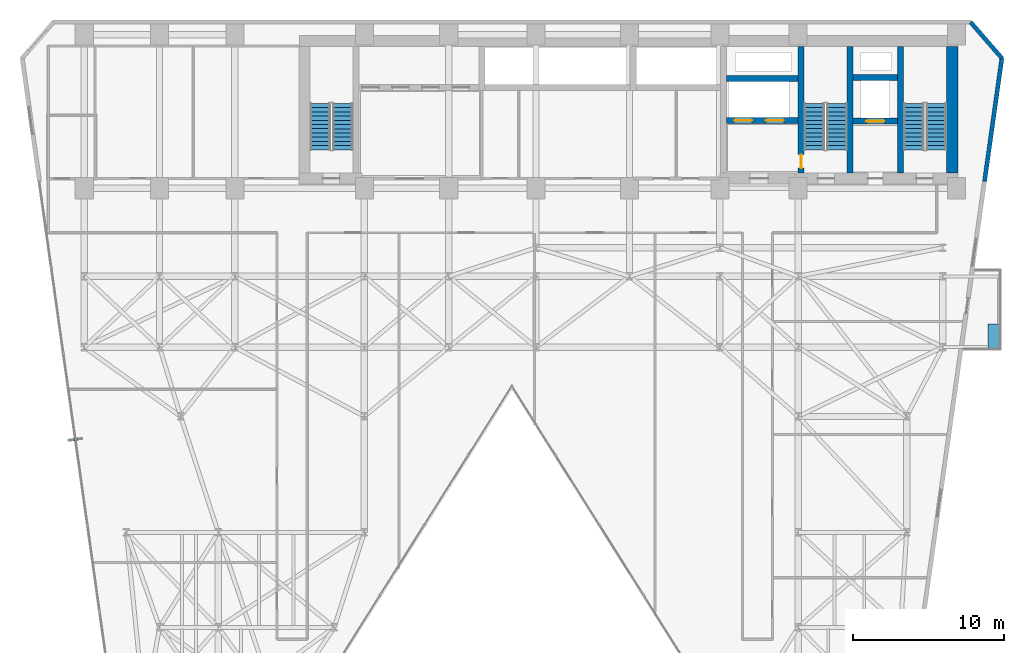
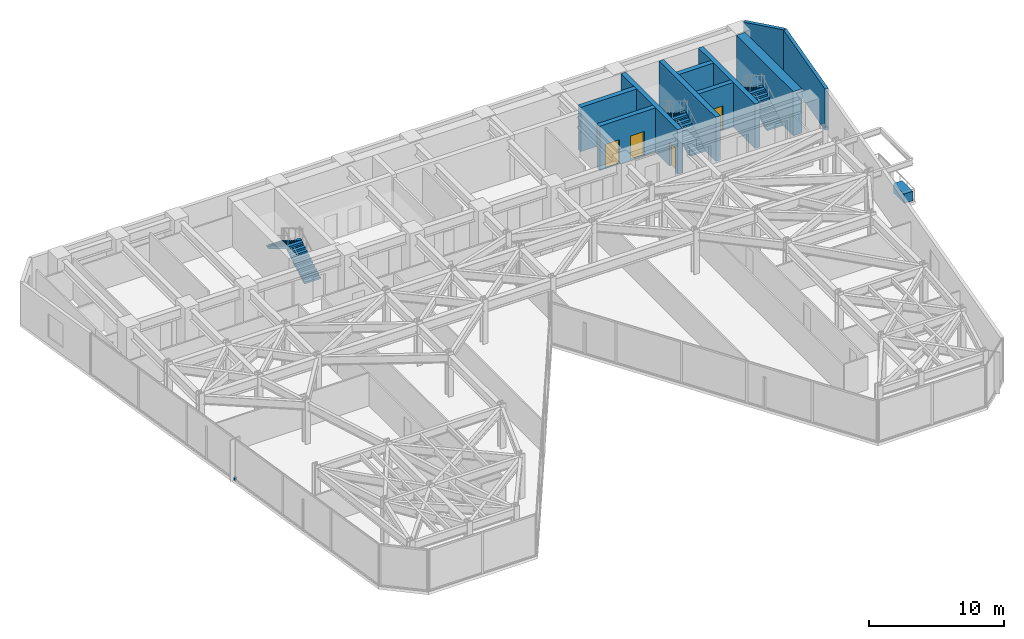
# One storey, part 21 of 25: 10 walls, 6 stair flights, 4 doors, 2 discrete accessories, 4 openings, 3 elements without a shape of their own.
"""IFC4 building model written with IfcOpenShell, lengths in metres."""

from ifc_helpers import new_model, si_unit, direction, frame, frame_2d, origin, origin_2d, place, context, subcontext, project, spatial, polyline, rectangle, outline, extrude, material, layer, layer_set, type_object, element, fill, aggregate, save


model = new_model("IFC4")

# Units and contexts
model_context = context("Model", 3, precision=1e-05, world=origin(), true_north=direction((0.0, 1.0)))
body_context = subcontext(model_context, "Body", "Model", "MODEL_VIEW")
ifc_project = project(units=[si_unit("LENGTHUNIT", "METRE"), si_unit("AREAUNIT", "SQUARE_METRE"), si_unit("VOLUMEUNIT", "CUBIC_METRE"), si_unit("PLANEANGLEUNIT", "RADIAN"), si_unit("MASSUNIT", "GRAM", prefix="KILO")], contexts=[model_context])

# Site, building, storey
site_placement = place(None, origin())
site = spatial("IfcSite", under=ifc_project, at=site_placement, CompositionType="ELEMENT")
building_placement = place(site_placement, origin())
building = spatial("IfcBuilding", under=site, at=building_placement, Name="Kravanh Interchange Tower", CompositionType="ELEMENT")
storey_placement = place(building_placement, frame((0.0, 0.0, 73.5)))
storey = spatial("IfcBuildingStorey", under=building, at=storey_placement, Name="L17", CompositionType="ELEMENT", Elevation=73.5)

# Walls
ifc_material_1 = material(Name="Concrete C80/95", Category="concrete")
ifc_layer_1 = layer(ifc_material_1, 0.39990234375)
ifc_layer_set_1 = layer_set([ifc_layer_1], Name="Core Shear Wall Concrete C80/95 400mm")
wall_type_1 = type_object("IfcWallType", Name="Core Shear Wall Concrete C80/95 400mm", PredefinedType="SHEAR", material=ifc_layer_set_1)
for number, where, z_axis, x_axis, name in (
    (1, (62.800048828125, 38.375, 0.0), (0.0, 0.0, 1.0), (0.0, 1.0, 0.0), "L17 Stair ST1 West Shear Wall"),
    (2, (59.449951171875, 38.375, 0.0), (0.0, 0.0, 1.0), (0.0, 1.0, 0.0), "L17 Stair ST2 East Shear Wall"),
):
    element("IfcWall", number, at=place(storey_placement, frame(where, z_axis=z_axis, x_axis=x_axis)), inside=storey, type_object=wall_type_1, Name=name, PredefinedType="SHEAR", context=body_context, shape_type="SweptSolid", body=[
        extrude(rectangle(XDim=8.375, YDim=0.39990234375, at=frame_2d((4.1875, 0.0))), origin(), (0.0, 0.0, 1.0), 4.0),
    ])

# Wall, opening, door
wall_1_placement = place(storey_placement, frame((56.199951171875, 38.375, 0.0), z_axis=(0.0, 0.0, 1.0), x_axis=(0.0, 1.0, 0.0)))
wall_1 = element("IfcWall", 3, at=wall_1_placement, inside=storey, type_object=wall_type_1, Name="L17 Stair ST2 West Shear Wall", PredefinedType="SHEAR", context=body_context, shape_type="SweptSolid", body=[
    extrude(rectangle(XDim=8.375, YDim=0.39990234375, at=frame_2d((4.1875, 0.0))), origin(), (0.0, 0.0, 1.0), 4.0),
])
opening_1_placement = place(wall_1_placement, frame((0.304931640625, 0.0, 0.0)))
opening_1 = element("IfcOpeningElement", 4, at=opening_1_placement, cuts=wall_1, Name="Opening D-STAIR-90", PredefinedType="OPENING", context=body_context, shape_type="SweptSolid", body=[
    extrude(rectangle(XDim=0.89990234375, YDim=2.14990234375, at=frame_2d((0.449951171875, 1.074951171875))), frame((0.0, 0.2099609375, 0.0), z_axis=(0.0, -1.0, 0.0), x_axis=(1.0, 0.0, 0.0)), (0.0, 0.0, 1.0), 0.419921875),
])
ifc_material_2 = material(Name="Structural Steel S355", Category="steel")
door_type_1 = type_object("IfcDoorType", Name="Fire-Rated Stair Lobby Door 900x2150", OperationType="NOTDEFINED", PredefinedType="DOOR", material=ifc_material_2)
door_1_placement = place(opening_1_placement, origin())
door_1 = element("IfcDoor", 5, at=door_1_placement, inside=storey, type_object=door_type_1, Name="L17 Firefighting Lobby to Stair ST2 Door", OperationType="SINGLE_SWING_LEFT", OverallHeight=2.14990234375, OverallWidth=0.89990234375, PredefinedType="DOOR", context=body_context, shape_type="SweptSolid", body=[
    extrude(rectangle(XDim=0.89990234375, YDim=2.14990234375, at=frame_2d((0.449951171875, 1.074951171875))), frame((0.0, 0.02490234375, 0.0), z_axis=(0.0, -1.0, 0.0), x_axis=(1.0, 0.0, 0.0)), (0.0, 0.0, 1.0), 0.050048828125),
])
fill(opening_1, door_1)

wall_2_placement = place(storey_placement, frame((59.64990234375, 41.800048828125, 0.0), z_axis=(0.0, 0.0, 1.0), x_axis=(1.0, 0.0, 0.0)))
wall_2 = element("IfcWall", 6, at=wall_2_placement, inside=storey, type_object=wall_type_1, Name="L17 Service Lift Shaft South Wall", PredefinedType="SHEAR", context=body_context, shape_type="SweptSolid", body=[
    extrude(rectangle(XDim=2.9501953125, YDim=0.39990234375, at=frame_2d((1.47509765625, 0.0))), origin(), (0.0, 0.0, 1.0), 4.0),
])
opening_2_placement = place(wall_2_placement, frame((0.8701171875, 0.0, 0.0)))
opening_2 = element("IfcOpeningElement", 7, at=opening_2_placement, cuts=wall_2, Name="Opening LD02", PredefinedType="OPENING", context=body_context, shape_type="SweptSolid", body=[
    extrude(rectangle(XDim=1.199951171875, YDim=2.199951171875, at=frame_2d((0.60009765625, 1.10009765625))), frame((0.0, 0.2099609375, 0.0), z_axis=(0.0, -1.0, 0.0), x_axis=(1.0, 0.0, 0.0)), (0.0, 0.0, 1.0), 0.419921875),
])
ifc_material_3 = material(Name="Stainless Steel 316", Category="steel")
door_type_2 = type_object("IfcDoorType", Name="Fire and Service Lift Sliding Landing Door 1200x2200", OperationType="DOUBLE_DOOR_SLIDING", PredefinedType="DOOR", material=ifc_material_3)
door_2_placement = place(opening_2_placement, origin())
door_2 = element("IfcDoor", 8, at=door_2_placement, inside=storey, type_object=door_type_2, Name="L17 Lift LS-01 Landing Door", OperationType="DOUBLE_DOOR_SLIDING", OverallHeight=2.199951171875, OverallWidth=1.199951171875, PredefinedType="DOOR", context=body_context, shape_type="SweptSolid", body=[
    extrude(rectangle(XDim=1.199951171875, YDim=2.199951171875, at=frame_2d((0.60009765625, 1.10009765625))), frame((0.0, 0.02490234375, 0.0), z_axis=(0.0, -1.0, 0.0), x_axis=(1.0, 0.0, 0.0)), (0.0, 0.0, 1.0), 0.050048828125),
])
fill(opening_2, door_2)

# Wall
wall_3_placement = place(storey_placement, frame((59.64990234375, 44.699951171875, 0.0), z_axis=(0.0, 0.0, 1.0), x_axis=(1.0, 0.0, 0.0)))
element("IfcWall", 9, at=wall_3_placement, inside=storey, type_object=wall_type_1, Name="L17 Service Lift Shaft North Wall", PredefinedType="SHEAR", context=body_context, shape_type="SweptSolid", body=[
    extrude(rectangle(XDim=2.9501953125, YDim=0.39990234375, at=frame_2d((1.47509765625, 0.0))), origin(), (0.0, 0.0, 1.0), 4.0),
])

# Wall, openings, doors
wall_4_placement = place(storey_placement, frame((51.25, 41.85009765625, 0.0), z_axis=(0.0, 0.0, 1.0), x_axis=(1.0, 0.0, 0.0)))
wall_4 = element("IfcWall", 10, at=wall_4_placement, inside=storey, type_object=wall_type_1, Name="L17 Fire Lift Shaft South Wall", PredefinedType="SHEAR", context=body_context, shape_type="SweptSolid", body=[
    extrude(rectangle(XDim=4.75, YDim=0.39990234375, at=frame_2d((2.375, 0.0))), origin(), (0.0, 0.0, 1.0), 4.0),
])
opening_3_placement = place(wall_4_placement, frame((0.5, 0.0, 0.0)))
opening_3 = element("IfcOpeningElement", 11, at=opening_3_placement, cuts=wall_4, Name="Opening LD02", PredefinedType="OPENING", context=body_context, shape_type="SweptSolid", body=[
    extrude(rectangle(XDim=1.199951171875, YDim=2.199951171875, at=frame_2d((0.60009765625, 1.10009765625))), frame((0.0, 0.2099609375, 0.0), z_axis=(0.0, -1.0, 0.0), x_axis=(1.0, 0.0, 0.0)), (0.0, 0.0, 1.0), 0.419921875),
])
opening_4_placement = place(wall_4_placement, frame((2.60009765625, 0.0, 0.0)))
opening_4 = element("IfcOpeningElement", 12, at=opening_4_placement, cuts=wall_4, Name="Opening LD02", PredefinedType="OPENING", context=body_context, shape_type="SweptSolid", body=[
    extrude(rectangle(XDim=1.199951171875, YDim=2.199951171875, at=frame_2d((0.60009765625, 1.10009765625))), frame((0.0, 0.2099609375, 0.0), z_axis=(0.0, -1.0, 0.0), x_axis=(1.0, 0.0, 0.0)), (0.0, 0.0, 1.0), 0.419921875),
])
door_3_placement = place(opening_3_placement, origin())
door_3 = element("IfcDoor", 13, at=door_3_placement, inside=storey, type_object=door_type_2, Name="L17 Lift FSAE-01 Landing Door", OperationType="DOUBLE_DOOR_SLIDING", OverallHeight=2.199951171875, OverallWidth=1.199951171875, PredefinedType="DOOR", context=body_context, shape_type="SweptSolid", body=[
    extrude(rectangle(XDim=1.199951171875, YDim=2.199951171875, at=frame_2d((0.60009765625, 1.10009765625))), frame((0.0, 0.02490234375, 0.0), z_axis=(0.0, -1.0, 0.0), x_axis=(1.0, 0.0, 0.0)), (0.0, 0.0, 1.0), 0.050048828125),
])
fill(opening_3, door_3)
door_4_placement = place(opening_4_placement, origin())
door_4 = element("IfcDoor", 14, at=door_4_placement, inside=storey, type_object=door_type_2, Name="L17 Lift FSAE-02 Landing Door", OperationType="DOUBLE_DOOR_SLIDING", OverallHeight=2.199951171875, OverallWidth=1.199951171875, PredefinedType="DOOR", context=body_context, shape_type="SweptSolid", body=[
    extrude(rectangle(XDim=1.199951171875, YDim=2.199951171875, at=frame_2d((0.60009765625, 1.10009765625))), frame((0.0, 0.02490234375, 0.0), z_axis=(0.0, -1.0, 0.0), x_axis=(1.0, 0.0, 0.0)), (0.0, 0.0, 1.0), 0.050048828125),
])
fill(opening_4, door_4)

# Walls
wall_5_placement = place(storey_placement, frame((51.25, 44.64990234375, 0.0), z_axis=(0.0, 0.0, 1.0), x_axis=(1.0, 0.0, 0.0)))
element("IfcWall", 15, at=wall_5_placement, inside=storey, type_object=wall_type_1, Name="L17 Fire Lift Shaft North Wall", PredefinedType="SHEAR", context=body_context, shape_type="SweptSolid", body=[
    extrude(rectangle(XDim=4.75, YDim=0.39990234375, at=frame_2d((2.375, 0.0))), origin(), (0.0, 0.0, 1.0), 4.0),
])
ifc_material_4 = material(Name="Concrete C80/95", Category="concrete")
ifc_layer_2 = layer(ifc_material_4, 0.75)
ifc_layer_set_2 = layer_set([ifc_layer_2], Name="Core Shear Wall Concrete C80/95 750mm")
wall_type_2 = type_object("IfcWallType", Name="Core Shear Wall Concrete C80/95 750mm", PredefinedType="SHEAR", material=ifc_layer_set_2)
wall_6_placement = place(storey_placement, frame((66.22509765625, 38.375, 0.0), z_axis=(0.0, 0.0, 1.0), x_axis=(0.0, 1.0, 0.0)))
element("IfcWall", 16, at=wall_6_placement, inside=storey, type_object=wall_type_2, Name="L17 Stair ST1 East Shear Wall", PredefinedType="SHEAR", context=body_context, shape_type="SweptSolid", body=[
    extrude(rectangle(XDim=8.375, YDim=0.75, at=frame_2d((4.1875, 0.0))), origin(), (0.0, 0.0, 1.0), 4.0),
])
ifc_material_5 = material(Name="Insulated Precast Concrete C40/50 with Bronze Cladding", Category="concrete")
ifc_layer_3 = layer(ifc_material_5, 0.280029296875)
ifc_layer_set_3 = layer_set([ifc_layer_3], Name="Exterior Insulated Concrete C40/50 Bronze Spandrel Wall 280mm")
wall_type_3 = type_object("IfcWallType", Name="Exterior Insulated Concrete C40/50 Bronze Spandrel Wall 280mm", PredefinedType="STANDARD", material=ifc_layer_set_3)
wall_7_placement = place(storey_placement, frame((67.4453125, 48.3798828125, 0.0), z_axis=(0.0, 0.0, 1.0), x_axis=(0.656070053895, -0.754699996278, 0.0)))
element("IfcWall", 17, at=wall_7_placement, inside=storey, type_object=wall_type_3, Name="L17 Exterior Wall 4", PredefinedType="STANDARD", context=body_context, shape_type="SweptSolid", body=[
    extrude(rectangle(XDim=3.1708984375, YDim=0.280029296875, at=frame_2d((1.58544921875, 0.0))), origin(), (0.0, 0.0, 1.0), 3.739990234375),
])
wall_8_placement = place(storey_placement, frame((69.525634765625, 45.98681640625, 0.0), z_axis=(0.0, 0.0, 1.0), x_axis=(-0.139180172484, -0.990267074878, 0.0)))
element("IfcWall", 18, at=wall_8_placement, inside=storey, type_object=wall_type_3, Name="L17 Exterior Wall 5", PredefinedType="STANDARD", context=body_context, shape_type="SweptSolid", body=[
    extrude(rectangle(XDim=8.267333984375, YDim=0.280029296875, at=frame_2d((4.1337890625, 0.0))), origin(), (0.0, 0.0, 1.0), 3.739990234375),
])

# Stair, stair flights
ifc_material_6 = material(Name="Concrete C50/60", Category="concrete")
stair_type = type_object("IfcStairType", Name="Core Fire Exit Dogleg Stair Concrete C50/60", PredefinedType="HALF_TURN_STAIR", material=ifc_material_6)
stair_1_placement = place(storey_placement, origin())
stair_1 = element("IfcStair", 19, at=stair_1_placement, inside=storey, type_object=stair_type, Name="L17 Exit Stair ST1", PredefinedType="HALF_TURN_STAIR")
ifc_material_7 = material(Name="Precast Concrete C50/60", Category="concrete")
ifc_layer_4 = layer(ifc_material_7, 0.199951171875)
ifc_layer_set_4 = layer_set([ifc_layer_4], Name="Precast Concrete C50/60 Stair Flight 1350mm")
stair_flight_type = type_object("IfcStairFlightType", Name="Precast Concrete C50/60 Stair Flight 1350mm", PredefinedType="STRAIGHT", material=ifc_layer_set_4)
stair_flight_1_placement = place(storey_placement, frame((65.175048828125, 39.89990234375, 0.0), z_axis=(0.0, 0.0, 1.0), x_axis=(0.0, 1.0, 0.0)))
stair_flight_1 = element("IfcStairFlight", 20, at=stair_flight_1_placement, type_object=stair_flight_type, Name="ST1 flight 1", NumberOfRisers=12, NumberOfTreads=11, PredefinedType="STRAIGHT", RiserHeight=0.166666667, TreadLength=0.28, context=body_context, shape_type="SweptSolid", body=[
    extrude(outline(polyline([(0.0, 0.0), (0.0, 0.166748046875), (0.280029296875, 0.166748046875), (0.280029296875, 0.333251953125), (0.56005859375, 0.333251953125), (0.56005859375, 0.5), (0.840087890625, 0.5), (0.840087890625, 0.666748046875), (1.1201171875, 0.666748046875), (1.1201171875, 0.833251953125), (1.39990234375, 0.833251953125), (1.39990234375, 1.0), (1.679931640625, 1.0), (1.679931640625, 1.166748046875), (1.9599609375, 1.166748046875), (1.9599609375, 1.333251953125), (2.239990234375, 1.333251953125), (2.239990234375, 1.5), (2.52001953125, 1.5), (2.52001953125, 1.666748046875), (2.800048828125, 1.666748046875), (2.800048828125, 1.833251953125), (3.080078125, 1.833251953125), (3.080078125, 2.0), (3.080078125, 1.658935546875), (0.29296875, 0.0), (0.0, 0.0)])), frame((0.0, 0.675048828125, 0.0), z_axis=(0.0, -1.0, 0.0), x_axis=(1.0, 0.0, 0.0)), (0.0, 0.0, 1.0), 1.35009765625),
])
stair_flight_2_placement = place(storey_placement, frame((63.675048828125, 42.97998046875, 2.0), z_axis=(0.0, 0.0, 1.0), x_axis=(0.0, -1.0, 0.0)))
stair_flight_2 = element("IfcStairFlight", 21, at=stair_flight_2_placement, type_object=stair_flight_type, Name="ST1 flight 2", NumberOfRisers=12, NumberOfTreads=11, PredefinedType="STRAIGHT", RiserHeight=0.166666667, TreadLength=0.28, context=body_context, shape_type="SweptSolid", body=[
    extrude(outline(polyline([(0.0, 0.0), (0.0, 0.166748046875), (0.280029296875, 0.166748046875), (0.280029296875, 0.333251953125), (0.56005859375, 0.333251953125), (0.56005859375, 0.5), (0.840087890625, 0.5), (0.840087890625, 0.666748046875), (1.1201171875, 0.666748046875), (1.1201171875, 0.833251953125), (1.39990234375, 0.833251953125), (1.39990234375, 1.0), (1.679931640625, 1.0), (1.679931640625, 1.166748046875), (1.9599609375, 1.166748046875), (1.9599609375, 1.333251953125), (2.239990234375, 1.333251953125), (2.239990234375, 1.5), (2.52001953125, 1.5), (2.52001953125, 1.666748046875), (2.800048828125, 1.666748046875), (2.800048828125, 1.833251953125), (3.080078125, 1.833251953125), (3.080078125, 2.0), (3.080078125, 1.658935546875), (0.29296875, 0.0), (0.0, 0.0)])), frame((0.0, 0.675048828125, 0.0), z_axis=(0.0, -1.0, 0.0), x_axis=(1.0, 0.0, 0.0)), (0.0, 0.0, 1.0), 1.35009765625),
])
aggregate(stair_1, [stair_flight_1, stair_flight_2])

stair_2_placement = place(storey_placement, origin())
stair_2 = element("IfcStair", 22, at=stair_2_placement, inside=storey, type_object=stair_type, Name="L17 Exit Stair ST2", PredefinedType="HALF_TURN_STAIR")
stair_flight_3_placement = place(storey_placement, frame((58.574951171875, 39.89990234375, 0.0), z_axis=(0.0, 0.0, 1.0), x_axis=(0.0, 1.0, 0.0)))
stair_flight_3 = element("IfcStairFlight", 23, at=stair_flight_3_placement, type_object=stair_flight_type, Name="ST2 flight 1", NumberOfRisers=12, NumberOfTreads=11, PredefinedType="STRAIGHT", RiserHeight=0.166666667, TreadLength=0.28, context=body_context, shape_type="SweptSolid", body=[
    extrude(outline(polyline([(0.0, 0.0), (0.0, 0.166748046875), (0.280029296875, 0.166748046875), (0.280029296875, 0.333251953125), (0.56005859375, 0.333251953125), (0.56005859375, 0.5), (0.840087890625, 0.5), (0.840087890625, 0.666748046875), (1.1201171875, 0.666748046875), (1.1201171875, 0.833251953125), (1.39990234375, 0.833251953125), (1.39990234375, 1.0), (1.679931640625, 1.0), (1.679931640625, 1.166748046875), (1.9599609375, 1.166748046875), (1.9599609375, 1.333251953125), (2.239990234375, 1.333251953125), (2.239990234375, 1.5), (2.52001953125, 1.5), (2.52001953125, 1.666748046875), (2.800048828125, 1.666748046875), (2.800048828125, 1.833251953125), (3.080078125, 1.833251953125), (3.080078125, 2.0), (3.080078125, 1.658935546875), (0.29296875, 0.0), (0.0, 0.0)])), frame((0.0, 0.675048828125, 0.0), z_axis=(0.0, -1.0, 0.0), x_axis=(1.0, 0.0, 0.0)), (0.0, 0.0, 1.0), 1.35009765625),
])
stair_flight_4_placement = place(storey_placement, frame((57.074951171875, 42.97998046875, 2.0), z_axis=(0.0, 0.0, 1.0), x_axis=(0.0, -1.0, 0.0)))
stair_flight_4 = element("IfcStairFlight", 24, at=stair_flight_4_placement, type_object=stair_flight_type, Name="ST2 flight 2", NumberOfRisers=12, NumberOfTreads=11, PredefinedType="STRAIGHT", RiserHeight=0.166666667, TreadLength=0.28, context=body_context, shape_type="SweptSolid", body=[
    extrude(outline(polyline([(0.0, 0.0), (0.0, 0.166748046875), (0.280029296875, 0.166748046875), (0.280029296875, 0.333251953125), (0.56005859375, 0.333251953125), (0.56005859375, 0.5), (0.840087890625, 0.5), (0.840087890625, 0.666748046875), (1.1201171875, 0.666748046875), (1.1201171875, 0.833251953125), (1.39990234375, 0.833251953125), (1.39990234375, 1.0), (1.679931640625, 1.0), (1.679931640625, 1.166748046875), (1.9599609375, 1.166748046875), (1.9599609375, 1.333251953125), (2.239990234375, 1.333251953125), (2.239990234375, 1.5), (2.52001953125, 1.5), (2.52001953125, 1.666748046875), (2.800048828125, 1.666748046875), (2.800048828125, 1.833251953125), (3.080078125, 1.833251953125), (3.080078125, 2.0), (3.080078125, 1.658935546875), (0.29296875, 0.0), (0.0, 0.0)])), frame((0.0, 0.675048828125, 0.0), z_axis=(0.0, -1.0, 0.0), x_axis=(1.0, 0.0, 0.0)), (0.0, 0.0, 1.0), 1.35009765625),
])
aggregate(stair_2, [stair_flight_3, stair_flight_4])

stair_3_placement = place(storey_placement, origin())
stair_3 = element("IfcStair", 25, at=stair_3_placement, inside=storey, type_object=stair_type, Name="L17 Exit Stair ST3", PredefinedType="HALF_TURN_STAIR")
stair_flight_5_placement = place(storey_placement, frame((25.77490234375, 39.89990234375, 0.0), z_axis=(0.0, 0.0, 1.0), x_axis=(0.0, 1.0, 0.0)))
stair_flight_5 = element("IfcStairFlight", 26, at=stair_flight_5_placement, type_object=stair_flight_type, Name="ST3 flight 1", NumberOfRisers=12, NumberOfTreads=11, PredefinedType="STRAIGHT", RiserHeight=0.166666667, TreadLength=0.28, context=body_context, shape_type="SweptSolid", body=[
    extrude(outline(polyline([(0.0, 0.0), (0.0, 0.166748046875), (0.280029296875, 0.166748046875), (0.280029296875, 0.333251953125), (0.56005859375, 0.333251953125), (0.56005859375, 0.5), (0.840087890625, 0.5), (0.840087890625, 0.666748046875), (1.1201171875, 0.666748046875), (1.1201171875, 0.833251953125), (1.39990234375, 0.833251953125), (1.39990234375, 1.0), (1.679931640625, 1.0), (1.679931640625, 1.166748046875), (1.9599609375, 1.166748046875), (1.9599609375, 1.333251953125), (2.239990234375, 1.333251953125), (2.239990234375, 1.5), (2.52001953125, 1.5), (2.52001953125, 1.666748046875), (2.800048828125, 1.666748046875), (2.800048828125, 1.833251953125), (3.080078125, 1.833251953125), (3.080078125, 2.0), (3.080078125, 1.658935546875), (0.29296875, 0.0), (0.0, 0.0)])), frame((0.0, 0.675048828125, 0.0), z_axis=(0.0, -1.0, 0.0), x_axis=(1.0, 0.0, 0.0)), (0.0, 0.0, 1.0), 1.35009765625),
])
stair_flight_6_placement = place(storey_placement, frame((24.27490234375, 42.97998046875, 2.0), z_axis=(0.0, 0.0, 1.0), x_axis=(0.0, -1.0, 0.0)))
stair_flight_6 = element("IfcStairFlight", 27, at=stair_flight_6_placement, type_object=stair_flight_type, Name="ST3 flight 2", NumberOfRisers=12, NumberOfTreads=11, PredefinedType="STRAIGHT", RiserHeight=0.166666667, TreadLength=0.28, context=body_context, shape_type="SweptSolid", body=[
    extrude(outline(polyline([(0.0, 0.0), (0.0, 0.166748046875), (0.280029296875, 0.166748046875), (0.280029296875, 0.333251953125), (0.56005859375, 0.333251953125), (0.56005859375, 0.5), (0.840087890625, 0.5), (0.840087890625, 0.666748046875), (1.1201171875, 0.666748046875), (1.1201171875, 0.833251953125), (1.39990234375, 0.833251953125), (1.39990234375, 1.0), (1.679931640625, 1.0), (1.679931640625, 1.166748046875), (1.9599609375, 1.166748046875), (1.9599609375, 1.333251953125), (2.239990234375, 1.333251953125), (2.239990234375, 1.5), (2.52001953125, 1.5), (2.52001953125, 1.666748046875), (2.800048828125, 1.666748046875), (2.800048828125, 1.833251953125), (3.080078125, 1.833251953125), (3.080078125, 2.0), (3.080078125, 1.658935546875), (0.29296875, 0.0), (0.0, 0.0)])), frame((0.0, 0.675048828125, 0.0), z_axis=(0.0, -1.0, 0.0), x_axis=(1.0, 0.0, 0.0)), (0.0, 0.0, 1.0), 1.35009765625),
])
aggregate(stair_3, [stair_flight_5, stair_flight_6])

# Discrete accessories
ifc_material_8 = material(Name="Stainless Steel 316", Category="steel")
discrete_accessory_type_1 = type_object("IfcDiscreteAccessoryType", Name="Solar Fin Curtain-Wall Mounting Bracket Stainless 316", PredefinedType="BRACKET", material=ifc_material_8)
discrete_accessory_1_placement = place(storey_placement, frame((8.03271484375, 20.66845703125, 0.0), z_axis=(0.0, 0.0, 1.0), x_axis=(-0.990267798532, -0.139175023587, 0.0)))
element("IfcDiscreteAccessory", 28, at=discrete_accessory_1_placement, inside=storey, type_object=discrete_accessory_type_1, Name="L17 Solar Fin Mounting Bracket 1", PredefinedType="BRACKET", context=body_context, shape_type="SweptSolid", body=[
    extrude(rectangle(XDim=0.239990234375, YDim=0.179931640625, at=origin_2d()), origin(), (0.0, 0.0, 1.0), 0.219970703125),
])
ifc_material_9 = material(Name="Architectural GRC Concrete C40/50 with Root Barrier", Category="concrete")
discrete_accessory_type_2 = type_object("IfcDiscreteAccessoryType", Name="Structural Balcony Tree Planter Box Concrete C40/50 1600x750x850", PredefinedType="USERDEFINED", material=ifc_material_9)
discrete_accessory_2_placement = place(storey_placement, frame((68.969970703125, 27.5400390625, 0.0), z_axis=(0.0, 0.0, 1.0), x_axis=(1.0, 0.0, 0.0)))
element("IfcDiscreteAccessory", 29, at=discrete_accessory_2_placement, inside=storey, type_object=discrete_accessory_type_2, Name="L17 E Balcony TREE PLANTER", ObjectType="PLANTER", PredefinedType="USERDEFINED", context=body_context, shape_type="SweptSolid", body=[
    extrude(rectangle(XDim=0.75, YDim=1.60009765625, at=origin_2d()), origin(), (0.0, 0.0, 1.0), 0.85009765625),
])

save(model, "model.ifc")
